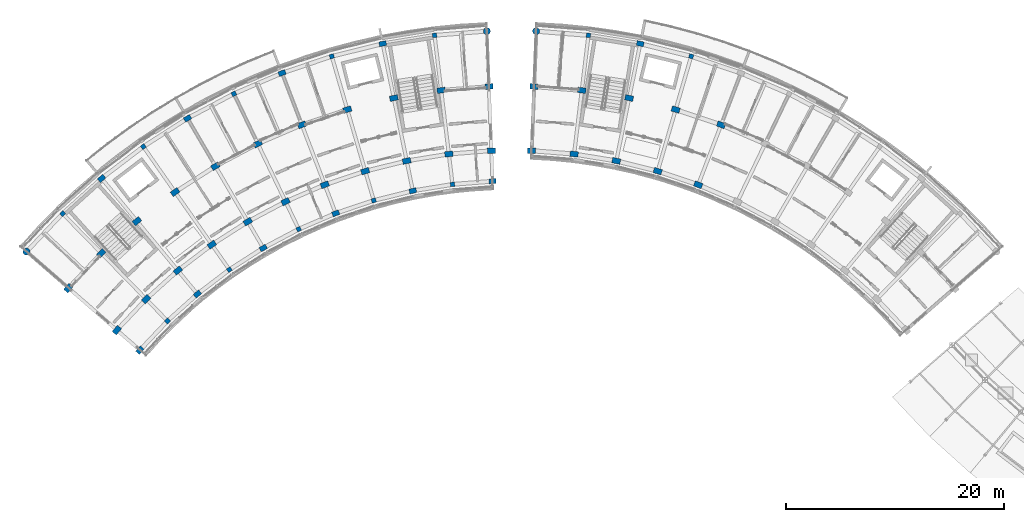
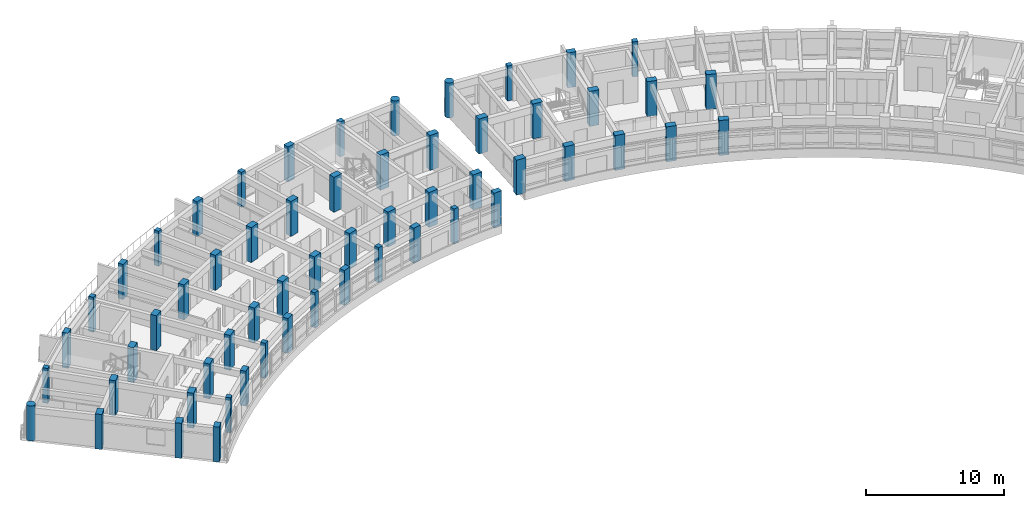
# One storey, part 1 of 40: 58 columns.
"""IFC4 building model written with IfcOpenShell, lengths in metres."""

from ifc_helpers import new_model, si_unit, direction, frame, origin, origin_2d, place, context, subcontext, project, spatial, rectangle, circle, extrude, material, material_profile, profile_set, type_object, element, save


model = new_model("IFC4")

# Units and contexts
model_context = context("Model", 3, precision=1e-05, world=origin(), true_north=direction((0.0, 1.0)))
body_context = subcontext(model_context, "Body", "Model", "MODEL_VIEW")
ifc_project = project(units=[si_unit("LENGTHUNIT", "METRE"), si_unit("AREAUNIT", "SQUARE_METRE"), si_unit("VOLUMEUNIT", "CUBIC_METRE"), si_unit("PLANEANGLEUNIT", "RADIAN"), si_unit("MASSUNIT", "GRAM", prefix="KILO")], contexts=[model_context])

# Site, building, storey
site_placement = place(None, origin())
site = spatial("IfcSite", under=ifc_project, at=site_placement, CompositionType="ELEMENT")
building_placement = place(site_placement, origin())
building = spatial("IfcBuilding", under=site, at=building_placement, Name="Zimvara Arc Housing Community", CompositionType="ELEMENT")
storey_placement = place(building_placement, frame((0.0, 0.0, 32.89990234375)))
storey = spatial("IfcBuildingStorey", under=building, at=storey_placement, Name="L10", CompositionType="ELEMENT", Elevation=32.89990234375)

# Columns
ifc_material_1 = material(Name="Concrete C40/50", Category="concrete")
ifc_material_profile_1 = material_profile(ifc_material_1, rectangle(XDim=0.39990234375, YDim=0.39990234375, at=origin_2d()), Name="RC 400x400")
ifc_profile_set_1 = profile_set([ifc_material_profile_1], Name="Concrete C40/50")
column_type_1 = type_object("IfcColumnType", Name="COL-RC-400x400", PredefinedType="COLUMN", material=ifc_profile_set_1)
for number, where, z_axis, x_axis, name in (
    (1, (13.476318359375, 76.781005859375, 0.0), (0.0, 0.0, 1.0), (-0.698665066769, 0.715448897181, 0.0), "col:blkA:L10:b1:r0"),
    (2, (3.862548828125, 86.625732421875, 0.0), (0.0, 0.0, 1.0), (-0.698665066769, 0.715448897181, 0.0), "col:blkA:L10:b1:r3"),
    (3, (19.14599609375, 81.478271484375, 0.0), (0.0, 0.0, 1.0), (-0.573004420611, 0.819552276527, 0.0), "col:blkA:L10:b3:r0"),
    (4, (11.261474609375, 92.755126953125, 0.0), (0.0, 0.0, 1.0), (-0.573004420611, 0.819552276527, 0.0), "col:blkA:L10:b3:r3"),
    (5, (25.50439453125, 85.190673828125, 0.0), (0.0, 0.0, 1.0), (-0.432085748802, 0.901832526405, 0.0), "col:blkA:L10:b5:r0"),
    (6, (19.558837890625, 97.599853515625, 0.0), (0.0, 0.0, 1.0), (-0.432085748802, 0.901832526405, 0.0), "col:blkA:L10:b5:r3"),
    (7, (32.381591796875, 87.819580078125, 0.0), (0.0, 0.0, 1.0), (-0.27966144946, 0.96009867914, 0.0), "col:blkA:L10:b7:r0"),
    (8, (28.533447265625, 101.030517578125, 0.0), (0.0, 0.0, 1.0), (-0.27966144946, 0.96009867914, 0.0), "col:blkA:L10:b7:r3"),
    (9, (39.594970703125, 89.295166015625, 0.0), (0.0, 0.0, 1.0), (-0.119790293837, 0.992799217114, 0.0), "col:blkA:L10:b9:r0"),
    (10, (37.94677734375, 102.9560546875, 0.0), (0.0, 0.0, 1.0), (-0.119790293837, 0.992799217114, 0.0), "col:blkA:L10:b9:r3"),
    (11, (52.05322265625, 102.9560546875, 0.0), (0.0, 0.0, 1.0), (0.119790293837, 0.992799217114, 0.0), "col:blkB:L10:b1:r3"),
    (12, (61.466552734375, 101.030517578125, 0.0), (0.0, 0.0, 1.0), (0.27966144946, 0.96009867914, 0.0), "col:blkB:L10:b3:r3"),
):
    element("IfcColumn", number, at=place(storey_placement, frame(where, z_axis=z_axis, x_axis=x_axis)), inside=storey, type_object=column_type_1, Name=name, PredefinedType="COLUMN", context=body_context, shape_type="SweptSolid", body=[
        extrude(rectangle(XDim=0.39990234375, YDim=0.39990234375, at=origin_2d()), origin(), (0.0, 0.0, 1.0), 3.10009765625),
    ])
ifc_material_2 = material(Name="Concrete C40/50", Category="concrete")
ifc_material_profile_2 = material_profile(ifc_material_2, rectangle(XDim=0.449951171875, YDim=0.64990234375, at=origin_2d()), Name="RC 450x650")
ifc_profile_set_2 = profile_set([ifc_material_profile_2], Name="Concrete C40/50")
column_type_2 = type_object("IfcColumnType", Name="COL-RC-450x650", PredefinedType="COLUMN", material=ifc_profile_set_2)
for number, where, z_axis, x_axis, name in (
    (13, (10.947509765625, 74.101318359375, 0.0), (0.0, 0.0, 1.0), (-0.754709580223, 0.656059028991, 0.0), "col:blkA:L10:b0:r0"),
    (14, (16.215087890625, 79.245361328125, 0.0), (0.0, 0.0, 1.0), (-0.637961754089, 0.770068049148, 0.0), "col:blkA:L10:b2:r0"),
    (15, (7.436767578125, 89.841552734375, 0.0), (0.0, 0.0, 1.0), (-0.637961754089, 0.770068049148, 0.0), "col:blkA:L10:b2:r3"),
    (16, (22.249267578125, 83.46435546875, 0.0), (0.0, 0.0, 1.0), (-0.504226211181, 0.863571611366, 0.0), "col:blkA:L10:b4:r0"),
    (17, (15.311279296875, 95.34716796875, 0.0), (0.0, 0.0, 1.0), (-0.504226211181, 0.863571611366, 0.0), "col:blkA:L10:b4:r3"),
    (18, (28.88916015625, 86.645751953125, 0.0), (0.0, 0.0, 1.0), (-0.357064076459, 0.934079892355, 0.0), "col:blkA:L10:b6:r0"),
    (19, (23.97607421875, 99.49853515625, 0.0), (0.0, 0.0, 1.0), (-0.357064076459, 0.934079892355, 0.0), "col:blkA:L10:b6:r3"),
    (20, (35.958251953125, 88.704833984375, 0.0), (0.0, 0.0, 1.0), (-0.200393999665, 0.979715389742, 0.0), "col:blkA:L10:b8:r0"),
    (21, (33.20068359375, 102.185546875, 0.0), (0.0, 0.0, 1.0), (-0.200393999665, 0.979715389742, 0.0), "col:blkA:L10:b8:r3"),
    (22, (43.267822265625, 89.586669921875, 0.0), (0.0, 0.0, 1.0), (-0.038387809088, 0.999262916411, 0.0), "col:blkA:L10:b10:r0"),
    (23, (56.79931640625, 102.185546875, 0.0), (0.0, 0.0, 1.0), (0.200393999665, 0.979715389742, 0.0), "col:blkB:L10:b2:r3"),
):
    element("IfcColumn", number, at=place(storey_placement, frame(where, z_axis=z_axis, x_axis=x_axis)), inside=storey, type_object=column_type_2, Name=name, PredefinedType="COLUMN", context=body_context, shape_type="SweptSolid", body=[
        extrude(rectangle(XDim=0.449951171875, YDim=0.64990234375, at=origin_2d()), origin(), (0.0, 0.0, 1.0), 3.10009765625),
    ])
ifc_material_3 = material(Name="Concrete C40/50", Category="concrete")
ifc_material_profile_3 = material_profile(ifc_material_3, rectangle(XDim=0.5, YDim=0.75, at=origin_2d()), Name="RC 500x750")
ifc_profile_set_3 = profile_set([ifc_material_profile_3], Name="Concrete C40/50")
column_type_3 = type_object("IfcColumnType", Name="COL-RC-500x750", PredefinedType="COLUMN", material=ifc_profile_set_3)
for number, where, z_axis, x_axis, name in (
    (24, (8.834228515625, 75.938232421875, 0.0), (0.0, 0.0, 1.0), (-0.754709580223, 0.656059028991, 0.0), "col:blkA:L10:b0:r1"),
    (25, (4.396728515625, 79.7958984375, 0.0), (0.0, 0.0, 1.0), (-0.754709580223, 0.656059028991, 0.0), "col:blkA:L10:b0:r2"),
    (26, (11.52001953125, 78.784423828125, 0.0), (0.0, 0.0, 1.0), (-0.698665066769, 0.715448897181, 0.0), "col:blkA:L10:b1:r1"),
    (27, (7.411865234375, 82.9912109375, 0.0), (0.0, 0.0, 1.0), (-0.698665066769, 0.715448897181, 0.0), "col:blkA:L10:b1:r2"),
    (28, (14.428955078125, 81.401611328125, 0.0), (0.0, 0.0, 1.0), (-0.637961754089, 0.770068049148, 0.0), "col:blkA:L10:b2:r1"),
    (29, (10.677734375, 85.9296875, 0.0), (0.0, 0.0, 1.0), (-0.637961754089, 0.770068049148, 0.0), "col:blkA:L10:b2:r2"),
    (30, (17.541748046875, 83.77294921875, 0.0), (0.0, 0.0, 1.0), (-0.573004420611, 0.819552276527, 0.0), "col:blkA:L10:b3:r1"),
    (31, (14.17236328125, 88.591796875, 0.0), (0.0, 0.0, 1.0), (-0.573004420611, 0.819552276527, 0.0), "col:blkA:L10:b3:r2"),
    (32, (20.83740234375, 85.88232421875, 0.0), (0.0, 0.0, 1.0), (-0.504226211181, 0.863571611366, 0.0), "col:blkA:L10:b4:r1"),
    (33, (17.87255859375, 90.960205078125, 0.0), (0.0, 0.0, 1.0), (-0.504226211181, 0.863571611366, 0.0), "col:blkA:L10:b4:r2"),
    (34, (24.29443359375, 87.7158203125, 0.0), (0.0, 0.0, 1.0), (-0.432085748802, 0.901832526405, 0.0), "col:blkA:L10:b5:r1"),
    (35, (21.75390625, 93.0185546875, 0.0), (0.0, 0.0, 1.0), (-0.432085748802, 0.901832526405, 0.0), "col:blkA:L10:b5:r2"),
    (36, (27.889404296875, 89.260986328125, 0.0), (0.0, 0.0, 1.0), (-0.357064076459, 0.934079892355, 0.0), "col:blkA:L10:b6:r1"),
    (37, (25.7900390625, 94.75341796875, 0.0), (0.0, 0.0, 1.0), (-0.357064076459, 0.934079892355, 0.0), "col:blkA:L10:b6:r2"),
    (38, (31.5986328125, 90.5078125, 0.0), (0.0, 0.0, 1.0), (-0.27966144946, 0.96009867914, 0.0), "col:blkA:L10:b7:r1"),
    (39, (29.9541015625, 96.1533203125, 0.0), (0.0, 0.0, 1.0), (-0.27966144946, 0.96009867914, 0.0), "col:blkA:L10:b7:r2"),
    (40, (35.397216796875, 91.447998046875, 0.0), (0.0, 0.0, 1.0), (-0.200393999665, 0.979715389742, 0.0), "col:blkA:L10:b8:r1"),
    (41, (34.21875, 97.208740234375, 0.0), (0.0, 0.0, 1.0), (-0.200393999665, 0.979715389742, 0.0), "col:blkA:L10:b8:r2"),
    (42, (39.259765625, 92.074951171875, 0.0), (0.0, 0.0, 1.0), (-0.119790293837, 0.992799217114, 0.0), "col:blkA:L10:b9:r1"),
    (43, (38.55517578125, 97.91259765625, 0.0), (0.0, 0.0, 1.0), (-0.119790293837, 0.992799217114, 0.0), "col:blkA:L10:b9:r2"),
    (44, (43.160400390625, 92.384765625, 0.0), (0.0, 0.0, 1.0), (-0.038387809088, 0.999262916411, 0.0), "col:blkA:L10:b10:r1"),
    (45, (42.934814453125, 98.26025390625, 0.0), (0.0, 0.0, 1.0), (-0.038387809088, 0.999262916411, 0.0), "col:blkA:L10:b10:r2"),
    (46, (46.839599609375, 92.384765625, 0.0), (0.0, 0.0, 1.0), (0.038387809088, 0.999262916411, 0.0), "col:blkB:L10:b0:r1"),
    (47, (47.065185546875, 98.26025390625, 0.0), (0.0, 0.0, 1.0), (0.038387809088, 0.999262916411, 0.0), "col:blkB:L10:b0:r2"),
    (48, (50.740234375, 92.074951171875, 0.0), (0.0, 0.0, 1.0), (0.119790293837, 0.992799217114, 0.0), "col:blkB:L10:b1:r1"),
    (49, (51.44482421875, 97.91259765625, 0.0), (0.0, 0.0, 1.0), (0.119790293837, 0.992799217114, 0.0), "col:blkB:L10:b1:r2"),
    (50, (54.602783203125, 91.447998046875, 0.0), (0.0, 0.0, 1.0), (0.200393999665, 0.979715389742, 0.0), "col:blkB:L10:b2:r1"),
    (51, (55.78125, 97.208740234375, 0.0), (0.0, 0.0, 1.0), (0.200393999665, 0.979715389742, 0.0), "col:blkB:L10:b2:r2"),
    (52, (58.4013671875, 90.5078125, 0.0), (0.0, 0.0, 1.0), (0.27966144946, 0.96009867914, 0.0), "col:blkB:L10:b3:r1"),
    (53, (60.0458984375, 96.1533203125, 0.0), (0.0, 0.0, 1.0), (0.27966144946, 0.96009867914, 0.0), "col:blkB:L10:b3:r2"),
    (54, (62.110595703125, 89.260986328125, 0.0), (0.0, 0.0, 1.0), (0.357064076459, 0.934079892355, 0.0), "col:blkB:L10:b4:r1"),
    (55, (64.2099609375, 94.75341796875, 0.0), (0.0, 0.0, 1.0), (0.357064076459, 0.934079892355, 0.0), "col:blkB:L10:b4:r2"),
):
    element("IfcColumn", number, at=place(storey_placement, frame(where, z_axis=z_axis, x_axis=x_axis)), inside=storey, type_object=column_type_3, Name=name, PredefinedType="COLUMN", context=body_context, shape_type="SweptSolid", body=[
        extrude(rectangle(XDim=0.5, YDim=0.75, at=origin_2d()), origin(), (0.0, 0.0, 1.0), 3.10009765625),
    ])
ifc_material_4 = material(Name="Concrete C40/50", Category="concrete")
ifc_material_profile_4 = material_profile(ifc_material_4, circle(Radius=0.324951171875, at=origin_2d()), Name="RC D650")
ifc_profile_set_4 = profile_set([ifc_material_profile_4], Name="Concrete C40/50")
column_type_4 = type_object("IfcColumnType", Name="COL-RC-D600", PredefinedType="COLUMN", material=ifc_profile_set_4)
for number, where, z_axis, x_axis, name in (
    (56, (0.562744140625, 83.128662109375, 0.0), (0.0, 0.0, 1.0), (-0.754709580223, 0.656059028991, 0.0), "col:blkA:L10:b0:r3"),
    (57, (42.73974609375, 103.336669921875, 0.0), (0.0, 0.0, 1.0), (-0.038387809088, 0.999262916411, 0.0), "col:blkA:L10:b10:r3"),
    (58, (47.26025390625, 103.336669921875, 0.0), (0.0, 0.0, 1.0), (0.038387809088, 0.999262916411, 0.0), "col:blkB:L10:b0:r3"),
):
    element("IfcColumn", number, at=place(storey_placement, frame(where, z_axis=z_axis, x_axis=x_axis)), inside=storey, type_object=column_type_4, Name=name, PredefinedType="COLUMN", context=body_context, shape_type="SweptSolid", body=[
        extrude(circle(Radius=0.324951171875, at=origin_2d()), origin(), (0.0, 0.0, 1.0), 3.10009765625),
    ])

save(model, "model.ifc")
